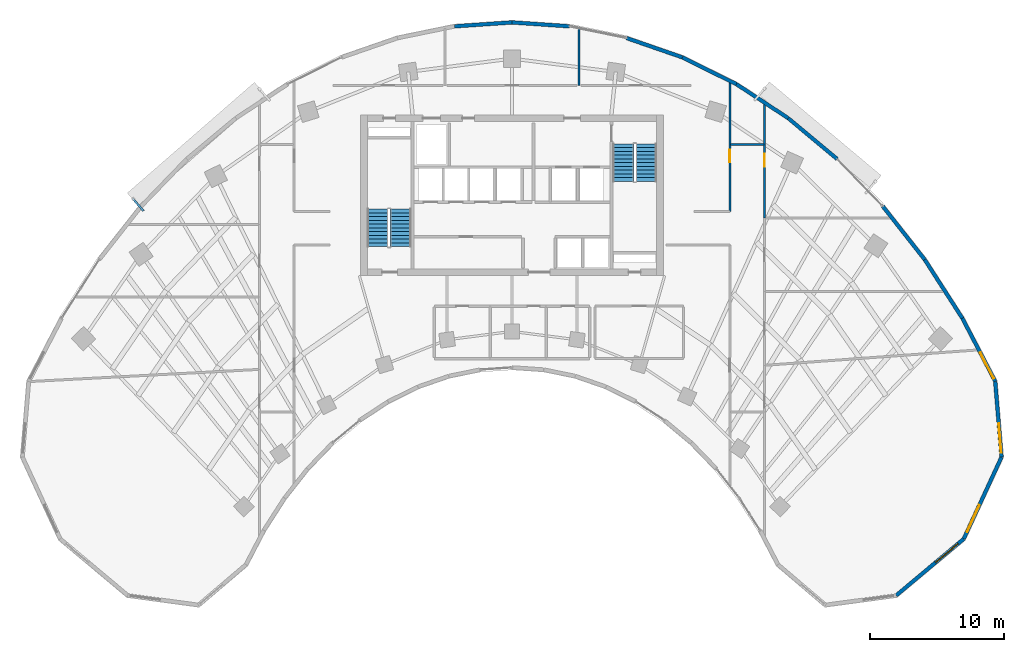
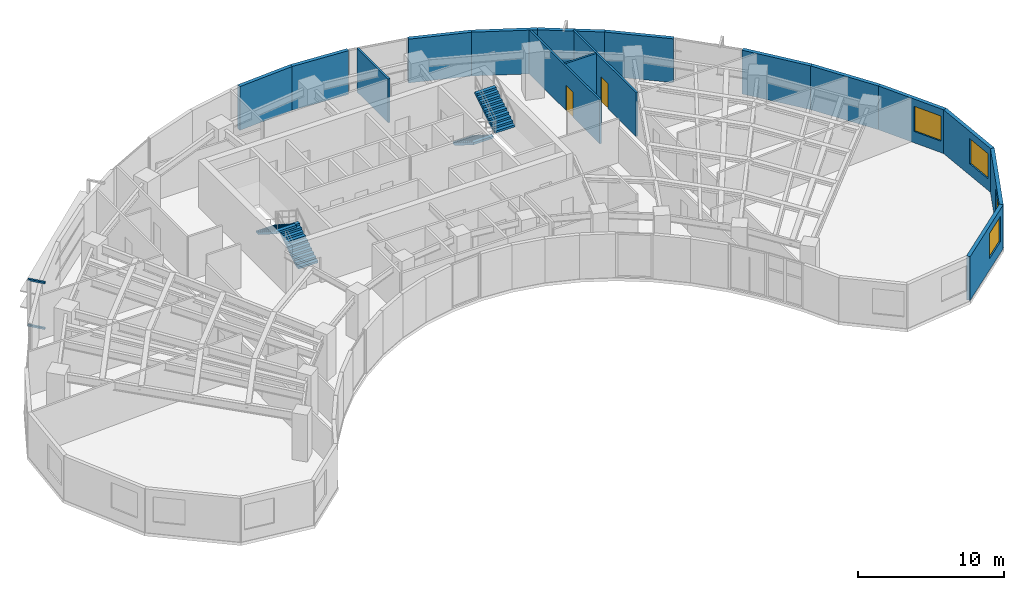
# One storey, part 11 of 14: 16 walls, 4 stair flights, 4 windows, 2 discrete accessories, 2 doors, 6 openings, 2 elements without a shape of their own.
"""IFC4 building model written with IfcOpenShell, lengths in metres."""

from ifc_helpers import new_model, si_unit, direction, frame, frame_2d, origin, origin_2d, place, context, subcontext, project, spatial, polyline, rectangle, outline, extrude, source, transform, mapped, material, layer, layer_set, type_object, type_shapes, element, fill, aggregate, save


model = new_model("IFC4")

# Units and contexts
model_context = context("Model", 3, precision=1e-05, world=origin(), true_north=direction((0.0, 1.0)))
body_context = subcontext(model_context, "Body", "Model", "MODEL_VIEW")
ifc_project = project(units=[si_unit("LENGTHUNIT", "METRE"), si_unit("AREAUNIT", "SQUARE_METRE"), si_unit("VOLUMEUNIT", "CUBIC_METRE"), si_unit("PLANEANGLEUNIT", "RADIAN"), si_unit("MASSUNIT", "GRAM", prefix="KILO")], contexts=[model_context])

# Site, building, storey
site_placement = place(None, origin())
site = spatial("IfcSite", under=ifc_project, at=site_placement, CompositionType="ELEMENT")
building_placement = place(site_placement, origin())
building = spatial("IfcBuilding", under=site, at=building_placement, Name="Breltana Convention Tower", CompositionType="ELEMENT")
storey_placement = place(building_placement, frame((0.0, 0.0, 99.89990234375)))
storey = spatial("IfcBuildingStorey", under=building, at=storey_placement, Name="L23", CompositionType="ELEMENT", Elevation=99.89990234375)

# Wall, opening, window
ifc_material_1 = material(Name="Limestone Buff Insulated Wall", Category="masonry")
ifc_layer_1 = layer(ifc_material_1, 0.280029296875, Name="Limestone Buff Insulated Wall")
ifc_layer_set_1 = layer_set([ifc_layer_1], Name="Limestone Buff Insulated Wall")
wall_type_1 = type_object("IfcWallType", Name="WL-EXT-NOSE-280", PredefinedType="SOLIDWALL", material=ifc_layer_set_1)
shared_shape_1 = source(origin(), body_context, "Body", "SweptSolid", [
    extrude(rectangle(XDim=5.673583984375, YDim=0.280029296875, at=frame_2d((2.8369140625, 0.0))), origin(), (0.0, 0.0, 1.0), 3.650146484375),
])
wall_1_placement = place(storey_placement, frame((84.07763671875, 52.305419921875, 0.0), z_axis=(0.0, 0.0, 1.0), x_axis=(0.083309007867, -0.996523762491, 0.0)))
wall_1 = element("IfcWall", 1, at=wall_1_placement, inside=storey, type_object=wall_type_1, Name="L23 curved limestone nose wall E1", PredefinedType="SOLIDWALL", context=body_context, shape_type="MappedRepresentation", body=[
    mapped(shared_shape_1, transform((0.0, 0.0, 0.0), scale=1.0)),
])
opening_1_placement = place(wall_1_placement, frame((3.155029296875, 0.0, 0.949951171875)))
opening_1 = element("IfcOpeningElement", 2, at=opening_1_placement, cuts=wall_1, Name="Opening W-03", PredefinedType="OPENING", context=body_context, shape_type="SweptSolid", body=[
    extrude(rectangle(XDim=2.199951171875, YDim=2.10009765625, at=frame_2d((1.10009765625, 1.050048828125))), frame((0.0, 0.14990234375, 0.0), z_axis=(0.0, -1.0, 0.0), x_axis=(1.0, 0.0, 0.0)), (0.0, 0.0, 1.0), 0.300048828125),
])
ifc_material_2 = material(Name="Glass Low-E Insulated Window", Category="glass")
window_type = type_object("IfcWindowType", Name="WN-NOSE-2200X2100", PartitioningType="TRIPLE_PANEL_VERTICAL", PredefinedType="WINDOW", material=ifc_material_2)
shared_shape_2 = source(origin(), body_context, "Body", "SweptSolid", [
    extrude(rectangle(XDim=2.199951171875, YDim=2.10009765625, at=frame_2d((1.10009765625, 1.050048828125))), frame((0.0, 0.030029296875, 0.0), z_axis=(0.0, -1.0, 0.0), x_axis=(1.0, 0.0, 0.0)), (0.0, 0.0, 1.0), 0.06005859375),
])
type_shapes(window_type, [shared_shape_2])
window_1_placement = place(opening_1_placement, origin())
window_1 = element("IfcWindow", 3, at=window_1_placement, inside=storey, type_object=window_type, Name="L23 nose window E1", OverallHeight=2.10009765625, OverallWidth=2.199951171875, PartitioningType="TRIPLE_PANEL_VERTICAL", PredefinedType="WINDOW", context=body_context, shape_type="MappedRepresentation", body=[
    mapped(shared_shape_2, transform((0.0, 0.0, 0.0), scale=1.0)),
])
fill(opening_1, window_1)

shared_shape_3 = source(origin(), body_context, "Body", "SweptSolid", [
    extrude(rectangle(XDim=6.731689453125, YDim=0.280029296875, at=frame_2d((3.36572265625, 0.0))), origin(), (0.0, 0.0, 1.0), 3.650146484375),
])
wall_2_placement = place(storey_placement, frame((84.55029296875, 46.651611328125, 0.0), z_axis=(0.0, 0.0, 1.0), x_axis=(-0.419644552709, -0.907688520023, 0.0)))
wall_2 = element("IfcWall", 4, at=wall_2_placement, inside=storey, type_object=wall_type_1, Name="L23 curved limestone nose wall E2", PredefinedType="SOLIDWALL", context=body_context, shape_type="MappedRepresentation", body=[
    mapped(shared_shape_3, transform((0.0, 0.0, 0.0), scale=1.0)),
])
opening_2_placement = place(wall_2_placement, frame((3.948974609375, 0.0, 0.949951171875)))
opening_2 = element("IfcOpeningElement", 5, at=opening_2_placement, cuts=wall_2, Name="Opening W-03", PredefinedType="OPENING", context=body_context, shape_type="SweptSolid", body=[
    extrude(rectangle(XDim=2.199951171875, YDim=2.10009765625, at=frame_2d((1.10009765625, 1.050048828125))), frame((0.0, 0.14990234375, 0.0), z_axis=(0.0, -1.0, 0.0), x_axis=(1.0, 0.0, 0.0)), (0.0, 0.0, 1.0), 0.300048828125),
])
window_2_placement = place(opening_2_placement, origin())
window_2 = element("IfcWindow", 6, at=window_2_placement, inside=storey, type_object=window_type, Name="L23 nose window E2", OverallHeight=2.10009765625, OverallWidth=2.199951171875, PartitioningType="TRIPLE_PANEL_VERTICAL", PredefinedType="WINDOW", context=body_context, shape_type="MappedRepresentation", body=[
    mapped(shared_shape_2, transform((0.0, 0.0, 0.0), scale=1.0)),
])
fill(opening_2, window_2)

shared_shape_4 = source(origin(), body_context, "Body", "SweptSolid", [
    extrude(rectangle(XDim=6.572998046875, YDim=0.280029296875, at=frame_2d((3.28662109375, 0.0))), origin(), (0.0, 0.0, 1.0), 3.650146484375),
])
wall_3_placement = place(storey_placement, frame((81.725341796875, 40.541259765625, 0.0), z_axis=(0.0, 0.0, 1.0), x_axis=(-0.766715154163, -0.641987439423, 0.0)))
wall_3 = element("IfcWall", 7, at=wall_3_placement, inside=storey, type_object=wall_type_1, Name="L23 curved limestone nose wall E3", PredefinedType="SOLIDWALL", context=body_context, shape_type="MappedRepresentation", body=[
    mapped(shared_shape_4, transform((0.0, 0.0, 0.0), scale=1.0)),
])
opening_3_placement = place(wall_3_placement, frame((0.543212890625, 0.0, 0.949951171875)))
opening_3 = element("IfcOpeningElement", 8, at=opening_3_placement, cuts=wall_3, Name="Opening W-03", PredefinedType="OPENING", context=body_context, shape_type="SweptSolid", body=[
    extrude(rectangle(XDim=2.199951171875, YDim=2.10009765625, at=frame_2d((1.10009765625, 1.050048828125))), frame((0.0, 0.14990234375, 0.0), z_axis=(0.0, -1.0, 0.0), x_axis=(1.0, 0.0, 0.0)), (0.0, 0.0, 1.0), 0.300048828125),
])
window_3_placement = place(opening_3_placement, origin())
window_3 = element("IfcWindow", 9, at=window_3_placement, inside=storey, type_object=window_type, Name="L23 nose window E3", OverallHeight=2.10009765625, OverallWidth=2.199951171875, PartitioningType="TRIPLE_PANEL_VERTICAL", PredefinedType="WINDOW", context=body_context, shape_type="MappedRepresentation", body=[
    mapped(shared_shape_2, transform((0.0, 0.0, 0.0), scale=1.0)),
])
fill(opening_3, window_3)

shared_shape_5 = source(origin(), body_context, "Body", "SweptSolid", [
    extrude(rectangle(XDim=5.315185546875, YDim=0.280029296875, at=frame_2d((2.65771484375, 0.0))), origin(), (0.0, 0.0, 1.0), 3.650146484375),
])
wall_4_placement = place(storey_placement, frame((81.623291015625, 57.02001953125, 0.0), z_axis=(0.0, 0.0, 1.0), x_axis=(0.461760527822, -0.887004630735, 0.0)))
wall_4 = element("IfcWall", 10, at=wall_4_placement, inside=storey, type_object=wall_type_1, Name="L23 curved limestone nose wall E34", PredefinedType="SOLIDWALL", context=body_context, shape_type="MappedRepresentation", body=[
    mapped(shared_shape_5, transform((0.0, 0.0, 0.0), scale=1.0)),
])
opening_4_placement = place(wall_4_placement, frame((2.886474609375, 0.0, 0.949951171875)))
opening_4 = element("IfcOpeningElement", 11, at=opening_4_placement, cuts=wall_4, Name="Opening W-03", PredefinedType="OPENING", context=body_context, shape_type="SweptSolid", body=[
    extrude(rectangle(XDim=2.199951171875, YDim=2.10009765625, at=frame_2d((1.10009765625, 1.050048828125))), frame((0.0, 0.14990234375, 0.0), z_axis=(0.0, -1.0, 0.0), x_axis=(1.0, 0.0, 0.0)), (0.0, 0.0, 1.0), 0.300048828125),
])
window_4_placement = place(opening_4_placement, origin())
window_4 = element("IfcWindow", 12, at=window_4_placement, inside=storey, type_object=window_type, Name="L23 nose window E34", OverallHeight=2.10009765625, OverallWidth=2.199951171875, PartitioningType="TRIPLE_PANEL_VERTICAL", PredefinedType="WINDOW", context=body_context, shape_type="MappedRepresentation", body=[
    mapped(shared_shape_2, transform((0.0, 0.0, 0.0), scale=1.0)),
])
fill(opening_4, window_4)

# Walls
shared_shape_6 = source(origin(), body_context, "Body", "SweptSolid", [
    extrude(rectangle(XDim=5.05810546875, YDim=0.280029296875, at=frame_2d((2.529052734375, 0.0))), origin(), (0.0, 0.0, 1.0), 3.650146484375),
])
wall_5_placement = place(storey_placement, frame((75.684814453125, 65.37646484375, 0.0), z_axis=(0.0, 0.0, 1.0), x_axis=(0.618145507434, -0.786063694391, 0.0)))
element("IfcWall", 13, at=wall_5_placement, inside=storey, type_object=wall_type_1, Name="L23 curved limestone nose wall E32", PredefinedType="SOLIDWALL", context=body_context, shape_type="MappedRepresentation", body=[
    mapped(shared_shape_6, transform((0.0, 0.0, 0.0), scale=1.0)),
])
shared_shape_7 = source(origin(), body_context, "Body", "SweptSolid", [
    extrude(rectangle(XDim=4.76220703125, YDim=0.280029296875, at=frame_2d((2.381103515625, 0.0))), origin(), (0.0, 0.0, 1.0), 3.650146484375),
])
wall_6_placement = place(storey_placement, frame((68.6181640625, 71.957763671875, 0.0), z_axis=(0.0, 0.0, 1.0), x_axis=(0.767952279762, -0.640507061638, 0.0)))
element("IfcWall", 14, at=wall_6_placement, inside=storey, type_object=wall_type_1, Name="L23 curved limestone nose wall E31", PredefinedType="SOLIDWALL", context=body_context, shape_type="MappedRepresentation", body=[
    mapped(shared_shape_7, transform((0.0, 0.0, 0.0), scale=1.0)),
])
shared_shape_8 = source(origin(), body_context, "Body", "SweptSolid", [
    extrude(rectangle(XDim=4.625732421875, YDim=0.280029296875, at=frame_2d((2.31298828125, 0.0))), origin(), (0.0, 0.0, 1.0), 3.650146484375),
])
wall_7_placement = place(storey_placement, frame((64.751220703125, 74.496337890625, 0.0), z_axis=(0.0, 0.0, 1.0), x_axis=(0.83595938331, -0.548791316855, 0.0)))
element("IfcWall", 15, at=wall_7_placement, inside=storey, type_object=wall_type_1, Name="L23 curved limestone nose wall E30", PredefinedType="SOLIDWALL", context=body_context, shape_type="MappedRepresentation", body=[
    mapped(shared_shape_8, transform((0.0, 0.0, 0.0), scale=1.0)),
])
shared_shape_9 = source(origin(), body_context, "Body", "SweptSolid", [
    extrude(rectangle(XDim=4.408935546875, YDim=0.280029296875, at=frame_2d((2.20458984375, 0.0))), origin(), (0.0, 0.0, 1.0), 3.650146484375),
])
wall_8_placement = place(storey_placement, frame((56.54833984375, 77.94091796875, 0.0), z_axis=(0.0, 0.0, 1.0), x_axis=(0.944879374121, -0.327418643881, 0.0)))
element("IfcWall", 16, at=wall_8_placement, inside=storey, type_object=wall_type_1, Name="L23 curved limestone nose wall E28", PredefinedType="SOLIDWALL", context=body_context, shape_type="MappedRepresentation", body=[
    mapped(shared_shape_9, transform((0.0, 0.0, 0.0), scale=1.0)),
])
shared_shape_10 = source(origin(), body_context, "Body", "SweptSolid", [
    extrude(rectangle(XDim=4.3056640625, YDim=0.280029296875, at=frame_2d((2.15283203125, 0.0))), origin(), (0.0, 0.0, 1.0), 3.650146484375),
])
for number, where, z_axis, x_axis, name in (
    (17, (43.7041015625, 78.81298828125, 0.0), (0.0, 0.0, 1.0), (0.997705679258, 0.067700646797, 0.0), "L23 curved limestone nose wall E26"),
    (18, (48.0, 79.1044921875, 0.0), (0.0, 0.0, 1.0), (0.997705679258, -0.067700646797, 0.0), "L23 curved limestone nose wall E27"),
):
    element("IfcWall", number, at=place(storey_placement, frame(where, z_axis=z_axis, x_axis=x_axis)), inside=storey, type_object=wall_type_1, Name=name, PredefinedType="SOLIDWALL", context=body_context, shape_type="MappedRepresentation", body=[
        mapped(shared_shape_10, transform((0.0, 0.0, 0.0), scale=1.0)),
    ])
shared_shape_11 = source(origin(), body_context, "Body", "SweptSolid", [
    extrude(rectangle(XDim=4.505615234375, YDim=0.280029296875, at=frame_2d((2.2529296875, 0.0))), origin(), (0.0, 0.0, 1.0), 3.650146484375),
])
wall_9_placement = place(storey_placement, frame((60.71435546875, 76.497314453125, 0.0), z_axis=(0.0, 0.0, 1.0), x_axis=(0.89597155075, -0.444111450254, 0.0)))
element("IfcWall", 19, at=wall_9_placement, inside=storey, type_object=wall_type_1, Name="L23 curved limestone nose wall E29", PredefinedType="SOLIDWALL", context=body_context, shape_type="MappedRepresentation", body=[
    mapped(shared_shape_11, transform((0.0, 0.0, 0.0), scale=1.0)),
])
shared_shape_12 = source(origin(), body_context, "Body", "SweptSolid", [
    extrude(rectangle(XDim=5.205078125, YDim=0.280029296875, at=frame_2d((2.6025390625, 0.0))), origin(), (0.0, 0.0, 1.0), 3.650146484375),
])
wall_10_placement = place(storey_placement, frame((78.8115234375, 61.400390625, 0.0), z_axis=(0.0, 0.0, 1.0), x_axis=(0.540188528895, -0.8415440293, 0.0)))
element("IfcWall", 20, at=wall_10_placement, inside=storey, type_object=wall_type_1, Name="L23 curved limestone nose wall E33", PredefinedType="SOLIDWALL", context=body_context, shape_type="MappedRepresentation", body=[
    mapped(shared_shape_12, transform((0.0, 0.0, 0.0), scale=1.0)),
])
ifc_material_3 = material(Name="Gypsum Acoustic Drywall Partition")
ifc_layer_2 = layer(ifc_material_3, 0.14990234375, Name="Gypsum Acoustic Drywall Partition")
ifc_layer_set_2 = layer_set([ifc_layer_2], Name="Gypsum Acoustic Drywall Partition")
wall_type_2 = type_object("IfcWallType", Name="WL-PART-150", PredefinedType="PARTITIONING", material=ifc_layer_set_2)
shared_shape_13 = source(origin(), body_context, "Body", "SweptSolid", [
    extrude(rectangle(XDim=2.5, YDim=0.14990234375, at=frame_2d((1.25, 0.0))), origin(), (0.0, 0.0, 1.0), 3.650146484375),
])
wall_11_placement = place(storey_placement, frame((64.300048828125, 70.0, 0.0), z_axis=(0.0, 0.0, 1.0), x_axis=(1.0, 0.0, 0.0)))
element("IfcWall", 21, at=wall_11_placement, inside=storey, type_object=wall_type_2, Name="L23 interior partition W-L23-CORNE-N", PredefinedType="PARTITIONING", context=body_context, shape_type="MappedRepresentation", body=[
    mapped(shared_shape_13, transform((0.0, 0.0, 0.0), scale=1.0)),
])

# Wall, opening, door
shared_shape_14 = source(origin(), body_context, "Body", "SweptSolid", [
    extrude(rectangle(XDim=8.613037109375, YDim=0.14990234375, at=frame_2d((4.306640625, 0.0))), origin(), (0.0, 0.0, 1.0), 3.650146484375),
])
wall_12_placement = place(storey_placement, frame((66.840087890625, 64.5, 0.0), z_axis=(0.0, 0.0, 1.0), x_axis=(0.0, 1.0, 0.0)))
wall_12 = element("IfcWall", 22, at=wall_12_placement, inside=storey, type_object=wall_type_2, Name="L23 interior partition W-L23-ZE4-W", PredefinedType="PARTITIONING", context=body_context, shape_type="MappedRepresentation", body=[
    mapped(shared_shape_14, transform((0.0, 0.0, 0.0), scale=1.0)),
])
opening_5_placement = place(wall_12_placement, frame((3.83154296875, 0.0, 0.0)))
opening_5 = element("IfcOpeningElement", 23, at=opening_5_placement, cuts=wall_12, Name="Opening D-17", PredefinedType="OPENING", context=body_context, shape_type="SweptSolid", body=[
    extrude(rectangle(XDim=0.949951171875, YDim=2.10009765625, at=frame_2d((0.47509765625, 1.050048828125))), frame((0.0, 0.0849609375, 0.0), z_axis=(0.0, -1.0, 0.0), x_axis=(1.0, 0.0, 0.0)), (0.0, 0.0, 1.0), 0.169921875),
])
ifc_material_4 = material(Name="Timber Oak Veneer Door", Category="wood")
door_type = type_object("IfcDoorType", Name="DR-INT-950", OperationType="NOTDEFINED", PredefinedType="DOOR", material=ifc_material_4)
shared_shape_15 = source(origin(), body_context, "Body", "SweptSolid", [
    extrude(rectangle(XDim=0.949951171875, YDim=2.10009765625, at=frame_2d((0.47509765625, 1.050048828125))), frame((0.0, 0.02490234375, 0.0), z_axis=(0.0, -1.0, 0.0), x_axis=(1.0, 0.0, 0.0)), (0.0, 0.0, 1.0), 0.050048828125),
])
type_shapes(door_type, [shared_shape_15])
door_1_placement = place(opening_5_placement, origin())
door_1 = element("IfcDoor", 24, at=door_1_placement, inside=storey, type_object=door_type, Name="L23 interior door D-L23-ZE4", OperationType="SINGLE_SWING_RIGHT", OverallHeight=2.10009765625, OverallWidth=0.949951171875, PredefinedType="DOOR", context=body_context, shape_type="MappedRepresentation", body=[
    mapped(shared_shape_15, transform((0.0, 0.0, 0.0), scale=1.0)),
])
fill(opening_5, door_1)

# Wall
shared_shape_16 = source(origin(), body_context, "Body", "SweptSolid", [
    extrude(rectangle(XDim=4.258544921875, YDim=0.14990234375, at=frame_2d((2.12939453125, 0.0))), origin(), (0.0, 0.0, 1.0), 3.650146484375),
])
wall_13_placement = place(storey_placement, frame((53.0, 74.39990234375, 0.0), z_axis=(0.0, 0.0, 1.0), x_axis=(0.0, 1.0, 0.0)))
element("IfcWall", 25, at=wall_13_placement, inside=storey, type_object=wall_type_2, Name="L23 interior partition W-L23-ZN2-E", PredefinedType="PARTITIONING", context=body_context, shape_type="MappedRepresentation", body=[
    mapped(shared_shape_16, transform((0.0, 0.0, 0.0), scale=1.0)),
])

# Wall, opening, door
shared_shape_17 = source(origin(), body_context, "Body", "SweptSolid", [
    extrude(rectangle(XDim=9.728515625, YDim=0.14990234375, at=frame_2d((4.8642578125, 0.0))), origin(), (0.0, 0.0, 1.0), 3.650146484375),
])
wall_14_placement = place(storey_placement, frame((64.260009765625, 65.0, 0.0), z_axis=(0.0, 0.0, 1.0), x_axis=(0.0, 1.0, 0.0)))
wall_14 = element("IfcWall", 26, at=wall_14_placement, inside=storey, type_object=wall_type_2, Name="L23 interior partition W-L23-ZME2-D", PredefinedType="PARTITIONING", context=body_context, shape_type="MappedRepresentation", body=[
    mapped(shared_shape_17, transform((0.0, 0.0, 0.0), scale=1.0)),
])
opening_6_placement = place(wall_14_placement, frame((3.64990234375, 0.0, 0.0)))
opening_6 = element("IfcOpeningElement", 27, at=opening_6_placement, cuts=wall_14, Name="Opening D-17", PredefinedType="OPENING", context=body_context, shape_type="SweptSolid", body=[
    extrude(rectangle(XDim=0.949951171875, YDim=2.10009765625, at=frame_2d((0.47509765625, 1.050048828125))), frame((0.0, 0.0849609375, 0.0), z_axis=(0.0, -1.0, 0.0), x_axis=(1.0, 0.0, 0.0)), (0.0, 0.0, 1.0), 0.169921875),
])
door_2_placement = place(opening_6_placement, origin())
door_2 = element("IfcDoor", 28, at=door_2_placement, inside=storey, type_object=door_type, Name="L23 interior door D-L23-ZME2", OperationType="SINGLE_SWING_LEFT", OverallHeight=2.10009765625, OverallWidth=0.949951171875, PredefinedType="DOOR", context=body_context, shape_type="MappedRepresentation", body=[
    mapped(shared_shape_15, transform((0.0, 0.0, 0.0), scale=1.0)),
])
fill(opening_6, door_2)

# Stair, stair flights
ifc_material_5 = material(Name="Concrete C40/50", Category="concrete")
stair_type = type_object("IfcStairType", Name="ST-DOG-1560-R177", PredefinedType="HALF_TURN_STAIR", material=ifc_material_5)
stair_1_placement = place(storey_placement, origin())
stair_1 = element("IfcStair", 29, at=stair_1_placement, inside=storey, type_object=stair_type, Name="L23 Protected Core Exit Stair ST-1", PredefinedType="HALF_TURN_STAIR")
stair_flight_type = type_object("IfcStairFlightType", Name="STF-DOG-1560-N11-R177", PredefinedType="STRAIGHT", material=ifc_material_5)
stair_flight_1_placement = place(storey_placement, frame((39.68994140625, 62.360107421875, 0.0), z_axis=(0.0, 0.0, 1.0), x_axis=(0.0, 1.0, 0.0)))
stair_flight_1 = element("IfcStairFlight", 30, at=stair_flight_1_placement, type_object=stair_flight_type, Name="ST-1 flight 1", NumberOfRisers=11, NumberOfTreads=10, PredefinedType="STRAIGHT", RiserHeight=0.177272727, TreadLength=0.28, context=body_context, shape_type="SweptSolid", body=[
    extrude(outline(polyline([(0.0, 0.0), (0.0, 0.17724609375), (0.280029296875, 0.17724609375), (0.280029296875, 0.3544921875), (0.56005859375, 0.3544921875), (0.56005859375, 0.53173828125), (0.840087890625, 0.53173828125), (0.840087890625, 0.708984375), (1.1201171875, 0.708984375), (1.1201171875, 0.886474609375), (1.39990234375, 0.886474609375), (1.39990234375, 1.063720703125), (1.679931640625, 1.063720703125), (1.679931640625, 1.240966796875), (1.9599609375, 1.240966796875), (1.9599609375, 1.418212890625), (2.239990234375, 1.418212890625), (2.239990234375, 1.595458984375), (2.52001953125, 1.595458984375), (2.52001953125, 1.772705078125), (2.800048828125, 1.772705078125), (2.800048828125, 1.949951171875), (2.800048828125, 1.59521484375), (0.2802734375, 0.0), (0.0, 0.0)])), frame((0.0, 0.780029296875, 0.0), z_axis=(0.0, -1.0, 0.0), x_axis=(1.0, 0.0, 0.0)), (0.0, 0.0, 1.0), 1.56005859375),
])
stair_flight_2_placement = place(storey_placement, frame((37.97998046875, 65.159912109375, 1.9501953125), z_axis=(0.0, 0.0, 1.0), x_axis=(0.0, -1.0, 0.0)))
stair_flight_2 = element("IfcStairFlight", 31, at=stair_flight_2_placement, type_object=stair_flight_type, Name="ST-1 flight 2", NumberOfRisers=11, NumberOfTreads=10, PredefinedType="STRAIGHT", RiserHeight=0.177272727, TreadLength=0.28, context=body_context, shape_type="SweptSolid", body=[
    extrude(outline(polyline([(0.0, 0.0), (0.0, 0.17724609375), (0.280029296875, 0.17724609375), (0.280029296875, 0.3544921875), (0.56005859375, 0.3544921875), (0.56005859375, 0.53173828125), (0.840087890625, 0.53173828125), (0.840087890625, 0.708984375), (1.1201171875, 0.708984375), (1.1201171875, 0.886474609375), (1.39990234375, 0.886474609375), (1.39990234375, 1.063720703125), (1.679931640625, 1.063720703125), (1.679931640625, 1.240966796875), (1.9599609375, 1.240966796875), (1.9599609375, 1.418212890625), (2.239990234375, 1.418212890625), (2.239990234375, 1.595458984375), (2.52001953125, 1.595458984375), (2.52001953125, 1.772705078125), (2.800048828125, 1.772705078125), (2.800048828125, 1.949951171875), (2.800048828125, 1.59521484375), (0.2802734375, 0.0), (0.0, 0.0)])), frame((0.0, 0.780029296875, 0.0), z_axis=(0.0, -1.0, 0.0), x_axis=(1.0, 0.0, 0.0)), (0.0, 0.0, 1.0), 1.56005859375),
])
aggregate(stair_1, [stair_flight_1, stair_flight_2])

stair_2_placement = place(storey_placement, origin())
stair_2 = element("IfcStair", 32, at=stair_2_placement, inside=storey, type_object=stair_type, Name="L23 Protected Core Exit Stair ST-2", PredefinedType="HALF_TURN_STAIR")
stair_flight_3_placement = place(storey_placement, frame((56.31005859375, 70.0400390625, 0.0), z_axis=(0.0, 0.0, 1.0), x_axis=(0.0, -1.0, 0.0)))
stair_flight_3 = element("IfcStairFlight", 33, at=stair_flight_3_placement, type_object=stair_flight_type, Name="ST-2 flight 1", NumberOfRisers=11, NumberOfTreads=10, PredefinedType="STRAIGHT", RiserHeight=0.177272727, TreadLength=0.28, context=body_context, shape_type="SweptSolid", body=[
    extrude(outline(polyline([(0.0, 0.0), (0.0, 0.17724609375), (0.280029296875, 0.17724609375), (0.280029296875, 0.3544921875), (0.56005859375, 0.3544921875), (0.56005859375, 0.53173828125), (0.840087890625, 0.53173828125), (0.840087890625, 0.708984375), (1.1201171875, 0.708984375), (1.1201171875, 0.886474609375), (1.39990234375, 0.886474609375), (1.39990234375, 1.063720703125), (1.679931640625, 1.063720703125), (1.679931640625, 1.240966796875), (1.9599609375, 1.240966796875), (1.9599609375, 1.418212890625), (2.239990234375, 1.418212890625), (2.239990234375, 1.595458984375), (2.52001953125, 1.595458984375), (2.52001953125, 1.772705078125), (2.800048828125, 1.772705078125), (2.800048828125, 1.949951171875), (2.800048828125, 1.59521484375), (0.2802734375, 0.0), (0.0, 0.0)])), frame((0.0, 0.780029296875, 0.0), z_axis=(0.0, -1.0, 0.0), x_axis=(1.0, 0.0, 0.0)), (0.0, 0.0, 1.0), 1.56005859375),
])
stair_flight_4_placement = place(storey_placement, frame((58.02001953125, 67.239990234375, 1.9501953125), z_axis=(0.0, 0.0, 1.0), x_axis=(0.0, 1.0, 0.0)))
stair_flight_4 = element("IfcStairFlight", 34, at=stair_flight_4_placement, type_object=stair_flight_type, Name="ST-2 flight 2", NumberOfRisers=11, NumberOfTreads=10, PredefinedType="STRAIGHT", RiserHeight=0.177272727, TreadLength=0.28, context=body_context, shape_type="SweptSolid", body=[
    extrude(outline(polyline([(0.0, 0.0), (0.0, 0.17724609375), (0.280029296875, 0.17724609375), (0.280029296875, 0.3544921875), (0.56005859375, 0.3544921875), (0.56005859375, 0.53173828125), (0.840087890625, 0.53173828125), (0.840087890625, 0.708984375), (1.1201171875, 0.708984375), (1.1201171875, 0.886474609375), (1.39990234375, 0.886474609375), (1.39990234375, 1.063720703125), (1.679931640625, 1.063720703125), (1.679931640625, 1.240966796875), (1.9599609375, 1.240966796875), (1.9599609375, 1.418212890625), (2.239990234375, 1.418212890625), (2.239990234375, 1.595458984375), (2.52001953125, 1.595458984375), (2.52001953125, 1.772705078125), (2.800048828125, 1.772705078125), (2.800048828125, 1.949951171875), (2.800048828125, 1.59521484375), (0.2802734375, 0.0), (0.0, 0.0)])), frame((0.0, 0.780029296875, 0.0), z_axis=(0.0, -1.0, 0.0), x_axis=(1.0, 0.0, 0.0)), (0.0, 0.0, 1.0), 1.56005859375),
])
aggregate(stair_2, [stair_flight_3, stair_flight_4])

# Discrete accessories
ifc_material_6 = material(Name="Steel S355", Category="steel")
discrete_accessory_type = type_object("IfcDiscreteAccessoryType", Name="ACC-DSF-BRACKET-150", PredefinedType="BRACKET", material=ifc_material_6)
shared_shape_18 = source(origin(), body_context, "Body", "SweptSolid", [
    extrude(rectangle(XDim=1.239990234375, YDim=0.14990234375, at=origin_2d()), origin(), (0.0, 0.0, 1.0), 0.139892578125),
])
type_shapes(discrete_accessory_type, [shared_shape_18])
for number, where, z_axis, x_axis, name in (
    (35, (20.080322265625, 65.49853515625, -0.15966796875), (0.0, 0.0, 1.0), (-0.656454255701, 0.754365833115, 0.0), "L23 double-skin slab stand-off bracket 1.1B"),
    (36, (20.080322265625, 65.49853515625, 3.650390625), (0.0, 0.0, 1.0), (-0.656454255701, 0.754365833115, 0.0), "L23 double-skin slab stand-off bracket 1.1T"),
):
    element("IfcDiscreteAccessory", number, at=place(storey_placement, frame(where, z_axis=z_axis, x_axis=x_axis)), inside=storey, type_object=discrete_accessory_type, Name=name, PredefinedType="BRACKET", context=body_context, shape_type="MappedRepresentation", body=[
        mapped(shared_shape_18, transform((0.0, 0.0, 0.0), scale=1.0)),
    ])

save(model, "model.ifc")
